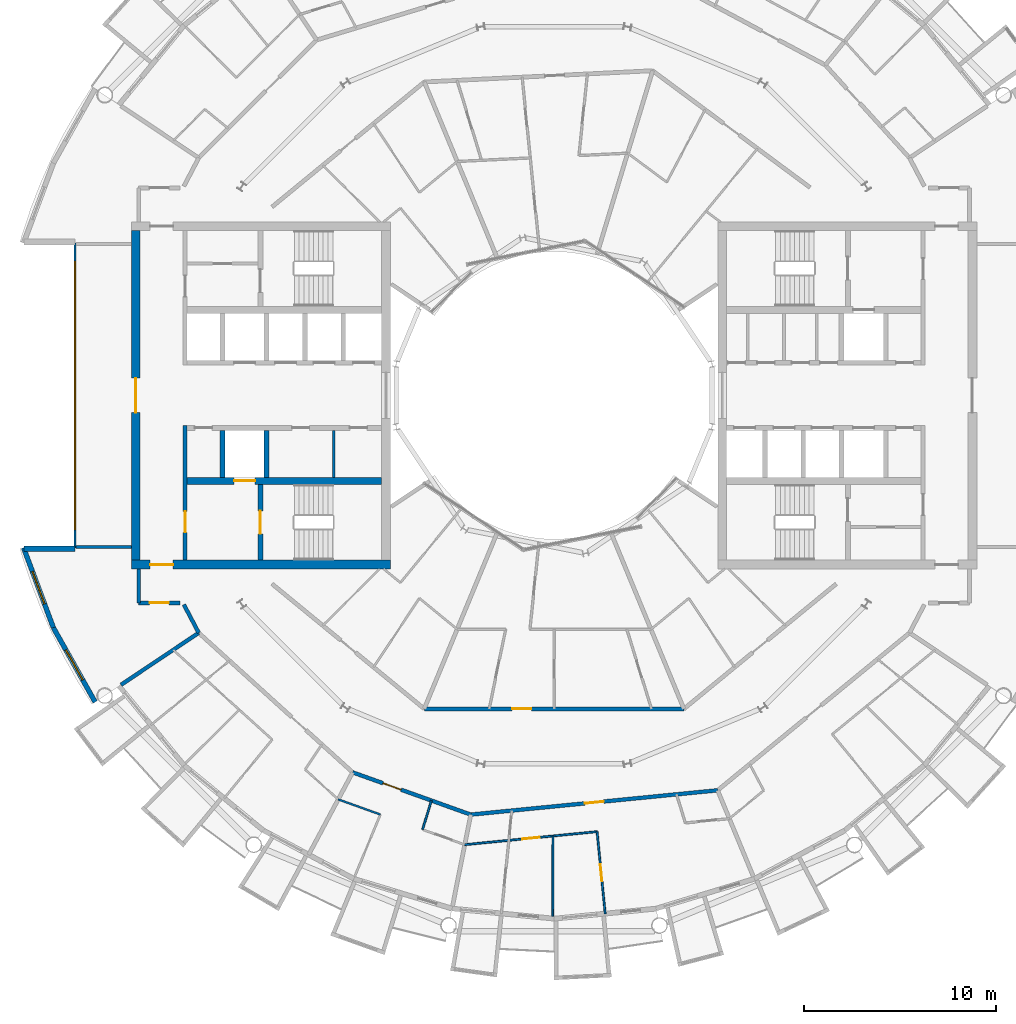
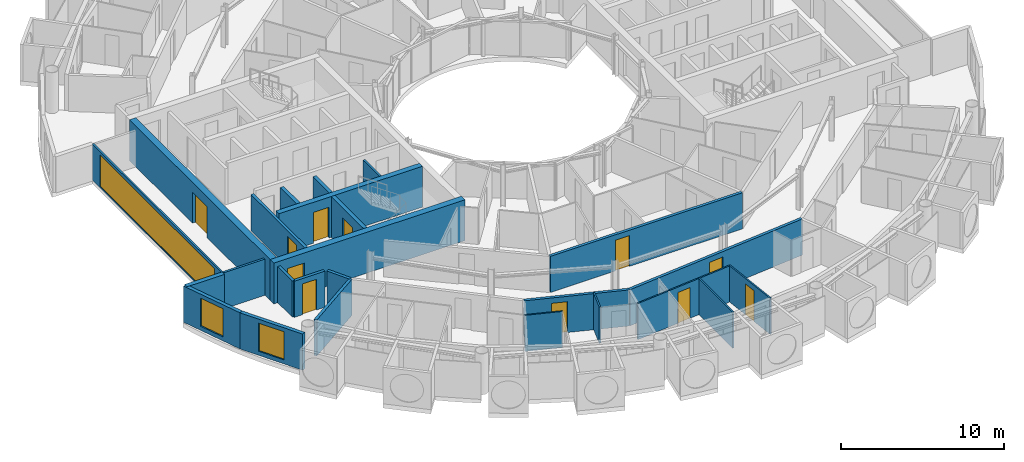
# One storey, part 16 of 29: 25 walls, 11 doors, 3 windows, 14 openings.
"""IFC4 building model written with IfcOpenShell, lengths in metres."""

from ifc_helpers import new_model, si_unit, direction, frame, frame_2d, origin, place, context, subcontext, project, spatial, rectangle, extrude, material, layer, layer_set, type_object, element, fill, save


model = new_model("IFC4")

# Units and contexts
model_context = context("Model", 3, precision=1e-05, world=origin(), true_north=direction((0.0, 1.0)))
body_context = subcontext(model_context, "Body", "Model", "MODEL_VIEW")
ifc_project = project(units=[si_unit("LENGTHUNIT", "METRE"), si_unit("AREAUNIT", "SQUARE_METRE"), si_unit("VOLUMEUNIT", "CUBIC_METRE"), si_unit("PLANEANGLEUNIT", "RADIAN"), si_unit("MASSUNIT", "GRAM", prefix="KILO")], contexts=[model_context])

# Site, building, storey
site_placement = place(None, origin())
site = spatial("IfcSite", under=ifc_project, at=site_placement, CompositionType="ELEMENT")
building_placement = place(site_placement, origin())
building = spatial("IfcBuilding", under=site, at=building_placement, Name="Maasbend Ring Residences", CompositionType="ELEMENT")
storey_placement = place(building_placement, frame((0.0, 0.0, 205.449951171875)))
storey = spatial("IfcBuildingStorey", under=building, at=storey_placement, Name="L59", CompositionType="ELEMENT", Elevation=205.449951171875)

# Wall, opening, door
ifc_material_1 = material(Name="Concrete C50/60", Category="concrete")
ifc_layer_1 = layer(ifc_material_1, 0.25)
ifc_layer_set_1 = layer_set([ifc_layer_1], Name="Concrete C50/60")
wall_type_1 = type_object("IfcWallType", Name="CORE WALL 250 C50/60", PredefinedType="SHEAR", material=ifc_layer_set_1)
wall_1_placement = place(storey_placement, frame((-15.324951171875, -4.64990234375, 0.0), z_axis=(0.0, 0.0, 1.0), x_axis=(0.0, -1.0, 0.0)))
wall_1 = element("IfcWall", 1, at=wall_1_placement, inside=storey, type_object=wall_type_1, Name="L59 core W wall STEN", PredefinedType="SHEAR", context=body_context, shape_type="SweptSolid", body=[
    extrude(rectangle(XDim=3.9501953125, YDim=0.25, at=frame_2d((1.97509765625, 0.0))), origin(), (0.0, 0.0, 1.0), 3.050048828125),
])
opening_1_placement = place(wall_1_placement, frame((1.375, 0.0, 0.0)))
opening_1 = element("IfcOpeningElement", 2, at=opening_1_placement, cuts=wall_1, Name="Opening D-W5910", PredefinedType="OPENING", context=body_context, shape_type="SweptSolid", body=[
    extrude(rectangle(XDim=1.199951171875, YDim=2.300048828125, at=frame_2d((0.60009765625, 1.14990234375))), frame((0.0, 0.135009765625, 0.0), z_axis=(0.0, -1.0, 0.0), x_axis=(1.0, 0.0, 0.0)), (0.0, 0.0, 1.0), 0.27001953125),
])
ifc_material_2 = material(Name="Steel, powder coated", Category="steel")
door_type_1 = type_object("IfcDoorType", Name="STAIR DOOR 1200 X 2300 FD60", OperationType="NOTDEFINED", PredefinedType="DOOR", material=ifc_material_2)
door_1_placement = place(opening_1_placement, origin())
door_1 = element("IfcDoor", 3, at=door_1_placement, inside=storey, type_object=door_type_1, Name="Stair door ST-W L59", OperationType="SINGLE_SWING_LEFT", OverallHeight=2.300048828125, OverallWidth=1.199951171875, PredefinedType="DOOR", context=body_context, shape_type="SweptSolid", body=[
    extrude(rectangle(XDim=1.199951171875, YDim=2.300048828125, at=frame_2d((0.60009765625, 1.14990234375))), frame((0.0, 0.02490234375, 0.0), z_axis=(0.0, -1.0, 0.0), x_axis=(1.0, 0.0, 0.0)), (0.0, 0.0, 1.0), 0.050048828125),
])
fill(opening_1, door_1)

ifc_material_3 = material(Name="Concrete C50/60", Category="concrete")
ifc_layer_2 = layer(ifc_material_3, 0.375)
ifc_layer_set_2 = layer_set([ifc_layer_2], Name="Concrete C50/60")
wall_type_2 = type_object("IfcWallType", Name="CORE WALL 375 C50/60", PredefinedType="SHEAR", material=ifc_layer_set_2)
wall_2_placement = place(storey_placement, frame((-9.0, -4.46240234375, 0.0), z_axis=(0.0, 0.0, 1.0), x_axis=(-1.0, 0.0, 0.0)))
wall_2 = element("IfcWall", 4, at=wall_2_placement, inside=storey, type_object=wall_type_2, Name="L59 core W wall BN", PredefinedType="SHEAR", context=body_context, shape_type="SweptSolid", body=[
    extrude(rectangle(XDim=10.14990234375, YDim=0.375, at=frame_2d((5.074951171875, 0.0))), origin(), (0.0, 0.0, 1.0), 3.050048828125),
])
opening_2_placement = place(wall_2_placement, frame((6.60009765625, 0.0, 0.0)))
opening_2 = element("IfcOpeningElement", 5, at=opening_2_placement, cuts=wall_2, Name="Opening LD-W5901", PredefinedType="OPENING", context=body_context, shape_type="SweptSolid", body=[
    extrude(rectangle(XDim=1.10009765625, YDim=2.300048828125, at=frame_2d((0.550048828125, 1.14990234375))), frame((0.0, 0.197509765625, 0.0), z_axis=(0.0, -1.0, 0.0), x_axis=(1.0, 0.0, 0.0)), (0.0, 0.0, 1.0), 0.39501953125),
])
ifc_material_4 = material(Name="Stainless steel 316", Category="steel")
door_type_2 = type_object("IfcDoorType", Name="LANDING DOOR 1100 X 2300 FD60", OperationType="DOUBLE_DOOR_SLIDING", PredefinedType="DOOR", material=ifc_material_4)
door_2_placement = place(opening_2_placement, origin())
door_2 = element("IfcDoor", 6, at=door_2_placement, inside=storey, type_object=door_type_2, Name="Landing door FF-W L59", OperationType="DOUBLE_DOOR_SLIDING", OverallHeight=2.300048828125, OverallWidth=1.10009765625, PredefinedType="DOOR", context=body_context, shape_type="SweptSolid", body=[
    extrude(rectangle(XDim=1.10009765625, YDim=2.300048828125, at=frame_2d((0.550048828125, 1.14990234375))), frame((0.0, 0.02490234375, 0.0), z_axis=(0.0, -1.0, 0.0), x_axis=(1.0, 0.0, 0.0)), (0.0, 0.0, 1.0), 0.050048828125),
])
fill(opening_2, door_2)

ifc_material_5 = material(Name="Concrete C50/60", Category="concrete")
ifc_layer_3 = layer(ifc_material_5, 0.449951171875)
ifc_layer_set_3 = layer_set([ifc_layer_3], Name="Concrete C50/60")
wall_type_3 = type_object("IfcWallType", Name="CORE WALL 450 C50/60", PredefinedType="SHEAR", material=ifc_layer_set_3)
wall_3_placement = place(storey_placement, frame((-22.050048828125, -8.824951171875, 0.0), z_axis=(0.0, 0.0, 1.0), x_axis=(1.0, 0.0, 0.0)))
wall_3 = element("IfcWall", 7, at=wall_3_placement, inside=storey, type_object=wall_type_3, Name="L59 core W wall PN", PredefinedType="SHEAR", context=body_context, shape_type="SweptSolid", body=[
    extrude(rectangle(XDim=13.5, YDim=0.449951171875, at=frame_2d((6.75, 0.0))), origin(), (0.0, 0.0, 1.0), 3.050048828125),
])
opening_3_placement = place(wall_3_placement, frame((0.97509765625, 0.0, 0.0)))
opening_3 = element("IfcOpeningElement", 8, at=opening_3_placement, cuts=wall_3, Name="Opening D-W5914", PredefinedType="OPENING", context=body_context, shape_type="SweptSolid", body=[
    extrude(rectangle(XDim=1.199951171875, YDim=2.300048828125, at=frame_2d((0.60009765625, 1.14990234375))), frame((0.0, 0.23486328125, 0.0), z_axis=(0.0, -1.0, 0.0), x_axis=(1.0, 0.0, 0.0)), (0.0, 0.0, 1.0), 0.469970703125),
])
ifc_material_6 = material(Name="Steel, powder coated", Category="steel")
door_type_3 = type_object("IfcDoorType", Name="CORRIDOR DOOR 1200 X 2300 FD30S", OperationType="NOTDEFINED", PredefinedType="DOOR", material=ifc_material_6)
door_3_placement = place(opening_3_placement, origin())
door_3 = element("IfcDoor", 9, at=door_3_placement, inside=storey, type_object=door_type_3, Name="Corridor door L59", OperationType="SINGLE_SWING_RIGHT", OverallHeight=2.300048828125, OverallWidth=1.199951171875, PredefinedType="DOOR", context=body_context, shape_type="SweptSolid", body=[
    extrude(rectangle(XDim=1.199951171875, YDim=2.300048828125, at=frame_2d((0.60009765625, 1.14990234375))), frame((0.0, 0.02490234375, 0.0), z_axis=(0.0, -1.0, 0.0), x_axis=(1.0, 0.0, 0.0)), (0.0, 0.0, 1.0), 0.050048828125),
])
fill(opening_3, door_3)

wall_4_placement = place(storey_placement, frame((-21.824951171875, -8.60009765625, 0.0), z_axis=(0.0, 0.0, 1.0), x_axis=(0.0, 1.0, 0.0)))
wall_4 = element("IfcWall", 10, at=wall_4_placement, inside=storey, type_object=wall_type_3, Name="L59 core W wall POUT", PredefinedType="SHEAR", context=body_context, shape_type="SweptSolid", body=[
    extrude(rectangle(XDim=17.2001953125, YDim=0.449951171875, at=frame_2d((8.60009765625, 0.0))), origin(), (0.0, 0.0, 1.0), 3.050048828125),
])
opening_4_placement = place(wall_4_placement, frame((7.699951171875, 0.0, 0.0)))
opening_4 = element("IfcOpeningElement", 11, at=opening_4_placement, cuts=wall_4, Name="Opening D-W5916", PredefinedType="OPENING", context=body_context, shape_type="SweptSolid", body=[
    extrude(rectangle(XDim=1.800048828125, YDim=2.300048828125, at=frame_2d((0.89990234375, 1.14990234375))), frame((0.0, 0.23486328125, 0.0), z_axis=(0.0, -1.0, 0.0), x_axis=(1.0, 0.0, 0.0)), (0.0, 0.0, 1.0), 0.469970703125),
])
ifc_material_7 = material(Name="Aluminium frame, clear glass", Category="aluminium")
door_type_4 = type_object("IfcDoorType", Name="ENTRANCE DOOR 1800 X 2300 FD60", OperationType="NOTDEFINED", PredefinedType="DOOR", material=ifc_material_7)
door_4_placement = place(opening_4_placement, origin())
door_4 = element("IfcDoor", 12, at=door_4_placement, inside=storey, type_object=door_type_4, Name="Lobby glazed door L59", OperationType="SINGLE_SWING_LEFT", OverallHeight=2.300048828125, OverallWidth=1.800048828125, PredefinedType="DOOR", context=body_context, shape_type="SweptSolid", body=[
    extrude(rectangle(XDim=1.800048828125, YDim=2.300048828125, at=frame_2d((0.89990234375, 1.14990234375))), frame((0.0, 0.02490234375, 0.0), z_axis=(0.0, -1.0, 0.0), x_axis=(1.0, 0.0, 0.0)), (0.0, 0.0, 1.0), 0.050048828125),
])
fill(opening_4, door_4)

# Wall
ifc_material_8 = material(Name="Concrete C30/37", Category="concrete")
ifc_layer_4 = layer(ifc_material_8, 0.199951171875)
ifc_layer_set_4 = layer_set([ifc_layer_4], Name="Concrete C30/37")
wall_type_4 = type_object("IfcWallType", Name="CORRIDOR WALL 200 CONCRETE", PredefinedType="PARTITIONING", material=ifc_layer_set_4)
wall_5_placement = place(storey_placement, frame((-19.31689453125, -10.9150390625, 0.0), z_axis=(0.0, 0.0, 1.0), x_axis=(0.465359652486, -0.885121683068, 0.0)))
element("IfcWall", 13, at=wall_5_placement, inside=storey, type_object=wall_type_4, Name="U-L59-w009", PredefinedType="PARTITIONING", context=body_context, shape_type="SweptSolid", body=[
    extrude(rectangle(XDim=1.665283203125, YDim=0.199951171875, at=frame_2d((0.83251953125, 0.0))), origin(), (0.0, 0.0, 1.0), 2.699951171875),
])

# Wall, opening, door
wall_6_placement = place(storey_placement, frame((-10.511962890625, -19.6669921875, 0.0), z_axis=(0.0, 0.0, 1.0), x_axis=(0.941518972512, -0.336959974478, 0.0)))
wall_6 = element("IfcWall", 14, at=wall_6_placement, inside=storey, type_object=wall_type_4, Name="U-L59-w011", PredefinedType="PARTITIONING", context=body_context, shape_type="SweptSolid", body=[
    extrude(rectangle(XDim=6.546875, YDim=0.199951171875, at=frame_2d((3.2734375, 0.0))), origin(), (0.0, 0.0, 1.0), 2.699951171875),
])
opening_5_placement = place(wall_6_placement, frame((1.681884765625, 0.0, 0.0)))
opening_5 = element("IfcOpeningElement", 15, at=opening_5_placement, cuts=wall_6, Name="Opening D-5940", PredefinedType="OPENING", context=body_context, shape_type="SweptSolid", body=[
    extrude(rectangle(XDim=1.0, YDim=2.300048828125, at=frame_2d((0.5, 1.14990234375))), frame((0.0, 0.10986328125, 0.0), z_axis=(0.0, -1.0, 0.0), x_axis=(1.0, 0.0, 0.0)), (0.0, 0.0, 1.0), 0.219970703125),
])
ifc_material_9 = material(Name="Timber, fire-rated, painted", Category="wood")
door_type_5 = type_object("IfcDoorType", Name="FLAT ENTRANCE DOOR 1000 X 2300 FIRE-RATED", OperationType="NOTDEFINED", PredefinedType="DOOR", material=ifc_material_9)
door_5_placement = place(opening_5_placement, origin())
door_5 = element("IfcDoor", 16, at=door_5_placement, inside=storey, type_object=door_type_5, Name="D-5940", OperationType="SINGLE_SWING_LEFT", OverallHeight=2.300048828125, OverallWidth=1.0, PredefinedType="DOOR", context=body_context, shape_type="SweptSolid", body=[
    extrude(rectangle(XDim=1.0, YDim=2.300048828125, at=frame_2d((0.5, 1.14990234375))), frame((0.0, 0.02490234375, 0.0), z_axis=(0.0, -1.0, 0.0), x_axis=(1.0, 0.0, 0.0)), (0.0, 0.0, 1.0), 0.050048828125),
])
fill(opening_5, door_5)

wall_7_placement = place(storey_placement, frame((-4.35498046875, -21.8720703125, 0.0), z_axis=(0.0, 0.0, 1.0), x_axis=(0.995184945277, 0.098014920772, 0.0)))
wall_7 = element("IfcWall", 17, at=wall_7_placement, inside=storey, type_object=wall_type_4, Name="U-L59-w015", PredefinedType="PARTITIONING", context=body_context, shape_type="SweptSolid", body=[
    extrude(rectangle(XDim=12.95751953125, YDim=0.199951171875, at=frame_2d((6.478759765625, 0.0))), origin(), (0.0, 0.0, 1.0), 2.699951171875),
])
opening_6_placement = place(wall_7_placement, frame((5.97802734375, 0.0, 0.0)))
opening_6 = element("IfcOpeningElement", 18, at=opening_6_placement, cuts=wall_7, Name="Opening D-5943", PredefinedType="OPENING", context=body_context, shape_type="SweptSolid", body=[
    extrude(rectangle(XDim=1.0, YDim=2.300048828125, at=frame_2d((0.5, 1.14990234375))), frame((0.0, 0.10986328125, 0.0), z_axis=(0.0, -1.0, 0.0), x_axis=(1.0, 0.0, 0.0)), (0.0, 0.0, 1.0), 0.219970703125),
])
door_6_placement = place(opening_6_placement, origin())
door_6 = element("IfcDoor", 19, at=door_6_placement, inside=storey, type_object=door_type_5, Name="D-5943", OperationType="SINGLE_SWING_LEFT", OverallHeight=2.300048828125, OverallWidth=1.0, PredefinedType="DOOR", context=body_context, shape_type="SweptSolid", body=[
    extrude(rectangle(XDim=1.0, YDim=2.300048828125, at=frame_2d((0.5, 1.14990234375))), frame((0.0, 0.02490234375, 0.0), z_axis=(0.0, -1.0, 0.0), x_axis=(1.0, 0.0, 0.0)), (0.0, 0.0, 1.0), 0.050048828125),
])
fill(opening_6, door_6)

wall_8_placement = place(storey_placement, frame((-6.77294921875, -16.35302734375, 0.0), z_axis=(0.0, 0.0, 1.0), x_axis=(1.0, 0.0, 0.0)))
wall_8 = element("IfcWall", 20, at=wall_8_placement, inside=storey, type_object=wall_type_4, Name="U-L59-w019", PredefinedType="PARTITIONING", context=body_context, shape_type="SweptSolid", body=[
    extrude(rectangle(XDim=13.5458984375, YDim=0.199951171875, at=frame_2d((6.77294921875, 0.0))), origin(), (0.0, 0.0, 1.0), 2.699951171875),
])
opening_7_placement = place(wall_8_placement, frame((4.5791015625, 0.0, 0.0)))
opening_7 = element("IfcOpeningElement", 21, at=opening_7_placement, cuts=wall_8, Name="Opening D-5959", PredefinedType="OPENING", context=body_context, shape_type="SweptSolid", body=[
    extrude(rectangle(XDim=1.0, YDim=2.300048828125, at=frame_2d((0.5, 1.14990234375))), frame((0.0, 0.10986328125, 0.0), z_axis=(0.0, -1.0, 0.0), x_axis=(1.0, 0.0, 0.0)), (0.0, 0.0, 1.0), 0.219970703125),
])
door_7_placement = place(opening_7_placement, origin())
door_7 = element("IfcDoor", 22, at=door_7_placement, inside=storey, type_object=door_type_5, Name="D-5959", OperationType="SINGLE_SWING_LEFT", OverallHeight=2.300048828125, OverallWidth=1.0, PredefinedType="DOOR", context=body_context, shape_type="SweptSolid", body=[
    extrude(rectangle(XDim=1.0, YDim=2.300048828125, at=frame_2d((0.5, 1.14990234375))), frame((0.0, 0.02490234375, 0.0), z_axis=(0.0, -1.0, 0.0), x_axis=(1.0, 0.0, 0.0)), (0.0, 0.0, 1.0), 0.050048828125),
])
fill(opening_7, door_7)

wall_9_placement = place(storey_placement, frame((-21.675048828125, -10.824951171875, 0.0), z_axis=(0.0, 0.0, 1.0), x_axis=(1.0, 0.0, 0.0)))
wall_9 = element("IfcWall", 23, at=wall_9_placement, inside=storey, type_object=wall_type_4, Name="U-L59-w026", PredefinedType="PARTITIONING", context=body_context, shape_type="SweptSolid", body=[
    extrude(rectangle(XDim=2.152099609375, YDim=0.199951171875, at=frame_2d((1.076171875, 0.0))), origin(), (0.0, 0.0, 1.0), 2.699951171875),
])
opening_8_placement = place(wall_9_placement, frame((0.575927734375, 0.0, 0.0)))
opening_8 = element("IfcOpeningElement", 24, at=opening_8_placement, cuts=wall_9, Name="Opening D-5968", PredefinedType="OPENING", context=body_context, shape_type="SweptSolid", body=[
    extrude(rectangle(XDim=1.0, YDim=2.300048828125, at=frame_2d((0.5, 1.14990234375))), frame((0.0, 0.10986328125, 0.0), z_axis=(0.0, -1.0, 0.0), x_axis=(1.0, 0.0, 0.0)), (0.0, 0.0, 1.0), 0.219970703125),
])
ifc_material_10 = material(Name="Timber, painted", Category="wood")
door_type_6 = type_object("IfcDoorType", Name="ROOM DOOR 1000 X 2300", OperationType="NOTDEFINED", PredefinedType="DOOR", material=ifc_material_10)
door_8_placement = place(opening_8_placement, origin())
door_8 = element("IfcDoor", 25, at=door_8_placement, inside=storey, type_object=door_type_6, Name="D-5968", OperationType="SINGLE_SWING_LEFT", OverallHeight=2.300048828125, OverallWidth=1.0, PredefinedType="DOOR", context=body_context, shape_type="SweptSolid", body=[
    extrude(rectangle(XDim=1.0, YDim=2.300048828125, at=frame_2d((0.5, 1.14990234375))), frame((0.0, 0.02490234375, 0.0), z_axis=(0.0, -1.0, 0.0), x_axis=(1.0, 0.0, 0.0)), (0.0, 0.0, 1.0), 0.050048828125),
])
fill(opening_8, door_8)

# Wall
wall_10_placement = place(storey_placement, frame((-21.675048828125, -10.824951171875, 0.0), z_axis=(0.0, 0.0, 1.0), x_axis=(0.0, 1.0, 0.0)))
element("IfcWall", 26, at=wall_10_placement, inside=storey, type_object=wall_type_4, Name="U-L59-w105", PredefinedType="PARTITIONING", context=body_context, shape_type="SweptSolid", body=[
    extrude(rectangle(XDim=1.77490234375, YDim=0.199951171875, at=frame_2d((0.887451171875, 0.0))), origin(), (0.0, 0.0, 1.0), 2.699951171875),
])

# Wall, opening, window
ifc_material_11 = material(Name="Aluminium clad insulated panel", Category="aluminium")
ifc_layer_5 = layer(ifc_material_11, 0.25)
ifc_layer_set_5 = layer_set([ifc_layer_5], Name="EW-HORN")
wall_type_5 = type_object("IfcWallType", Name="EW-HORN", PredefinedType="SOLIDWALL", material=ifc_layer_set_5)
wall_11_placement = place(storey_placement, frame((-27.681884765625, -7.945068359375, 0.0), z_axis=(0.0, 0.0, 1.0), x_axis=(0.349247811493, -0.937030397675, 0.0)))
wall_11 = element("IfcWall", 27, at=wall_11_placement, inside=storey, type_object=wall_type_5, Name="Horn wall 3.1", PredefinedType="SOLIDWALL", context=body_context, shape_type="SweptSolid", body=[
    extrude(rectangle(XDim=4.4521484375, YDim=0.25, at=frame_2d((2.22607421875, 0.0))), origin(), (0.0, 0.0, 1.0), 2.699951171875),
])
opening_9_placement = place(wall_11_placement, frame((1.32666015625, 0.0, 0.300048828125)))
opening_9 = element("IfcOpeningElement", 28, at=opening_9_placement, cuts=wall_11, Name="Opening W-BX", PredefinedType="OPENING", context=body_context, shape_type="SweptSolid", body=[
    extrude(rectangle(XDim=1.800048828125, YDim=2.10009765625, at=frame_2d((0.89990234375, 1.050048828125))), frame((0.0, 0.135009765625, 0.0), z_axis=(0.0, -1.0, 0.0), x_axis=(1.0, 0.0, 0.0)), (0.0, 0.0, 1.0), 0.27001953125),
])
ifc_material_12 = material(Name="Aluminium and clear glass", Category="aluminium")
window_type_1 = type_object("IfcWindowType", Name="W-BX", PartitioningType="DOUBLE_PANEL_VERTICAL", PredefinedType="WINDOW", material=ifc_material_12)
window_1_placement = place(opening_9_placement, origin())
window_1 = element("IfcWindow", 29, at=window_1_placement, inside=storey, type_object=window_type_1, Name="Horn window 3.1", OverallHeight=2.10009765625, OverallWidth=1.800048828125, PartitioningType="SINGLE_PANEL", PredefinedType="WINDOW", context=body_context, shape_type="SweptSolid", body=[
    extrude(rectangle(XDim=1.800048828125, YDim=2.10009765625, at=frame_2d((0.89990234375, 1.050048828125))), frame((0.0, 0.030029296875, 0.0), z_axis=(0.0, -1.0, 0.0), x_axis=(1.0, 0.0, 0.0)), (0.0, 0.0, 1.0), 0.06005859375),
])
fill(opening_9, window_1)

wall_12_placement = place(storey_placement, frame((-26.126953125, -12.116943359375, 0.0), z_axis=(0.0, 0.0, 1.0), x_axis=(0.489696356642, -0.871893042919, 0.0)))
wall_12 = element("IfcWall", 30, at=wall_12_placement, inside=storey, type_object=wall_type_5, Name="Horn wall 3.2", PredefinedType="SOLIDWALL", context=body_context, shape_type="SweptSolid", body=[
    extrude(rectangle(XDim=4.45361328125, YDim=0.25, at=frame_2d((2.226806640625, 0.0))), origin(), (0.0, 0.0, 1.0), 2.699951171875),
])
opening_10_placement = place(wall_12_placement, frame((1.32666015625, 0.0, 0.300048828125)))
opening_10 = element("IfcOpeningElement", 31, at=opening_10_placement, cuts=wall_12, Name="Opening W-BX", PredefinedType="OPENING", context=body_context, shape_type="SweptSolid", body=[
    extrude(rectangle(XDim=1.800048828125, YDim=2.10009765625, at=frame_2d((0.89990234375, 1.050048828125))), frame((0.0, 0.135009765625, 0.0), z_axis=(0.0, -1.0, 0.0), x_axis=(1.0, 0.0, 0.0)), (0.0, 0.0, 1.0), 0.27001953125),
])
window_2_placement = place(opening_10_placement, origin())
window_2 = element("IfcWindow", 32, at=window_2_placement, inside=storey, type_object=window_type_1, Name="Horn window 3.2", OverallHeight=2.10009765625, OverallWidth=1.800048828125, PartitioningType="SINGLE_PANEL", PredefinedType="WINDOW", context=body_context, shape_type="SweptSolid", body=[
    extrude(rectangle(XDim=1.800048828125, YDim=2.10009765625, at=frame_2d((0.89990234375, 1.050048828125))), frame((0.0, 0.030029296875, 0.0), z_axis=(0.0, -1.0, 0.0), x_axis=(1.0, 0.0, 0.0)), (0.0, 0.0, 1.0), 0.06005859375),
])
fill(opening_10, window_2)

# Wall
ifc_material_13 = material(Name="Aluminium clad insulated panel", Category="aluminium")
ifc_layer_6 = layer(ifc_material_13, 0.300048828125)
ifc_layer_set_6 = layer_set([ifc_layer_6], Name="EW-RET")
wall_type_6 = type_object("IfcWallType", Name="EW-RET", PredefinedType="SOLIDWALL", material=ifc_layer_set_6)
wall_13_placement = place(storey_placement, frame((-25.0, -8.0, 0.0), z_axis=(0.0, 0.0, 1.0), x_axis=(-1.0, 0.0, 0.0)))
element("IfcWall", 33, at=wall_13_placement, inside=storey, type_object=wall_type_6, Name="Notch return wall west south", PredefinedType="SOLIDWALL", context=body_context, shape_type="SweptSolid", body=[
    extrude(rectangle(XDim=2.6669921875, YDim=0.300048828125, at=frame_2d((1.33349609375, 0.0))), origin(), (0.0, 0.0, 1.0), 2.699951171875),
])

# Wall, opening, window
ifc_material_14 = material(Name="Aluminium frame and clear glass", Category="aluminium")
ifc_layer_7 = layer(ifc_material_14, 0.1201171875)
ifc_layer_set_7 = layer_set([ifc_layer_7], Name="GLAZED SCREEN WALL 120 EI 60")
wall_type_7 = type_object("IfcWallType", Name="GLAZED SCREEN WALL 120 EI 60", PredefinedType="PARTITIONING", material=ifc_layer_set_7)
wall_14_placement = place(storey_placement, frame((-25.0, 7.949951171875, 0.0), z_axis=(0.0, 0.0, 1.0), x_axis=(0.0, -1.0, 0.0)))
wall_14 = element("IfcWall", 34, at=wall_14_placement, inside=storey, type_object=wall_type_7, Name="L59 core W wall FACE", PredefinedType="PARTITIONING", context=body_context, shape_type="SweptSolid", body=[
    extrude(rectangle(XDim=15.89990234375, YDim=0.1201171875, at=frame_2d((7.949951171875, 0.0))), origin(), (0.0, 0.0, 1.0), 2.699951171875),
])
opening_11_placement = place(wall_14_placement, frame((0.949951171875, 0.0, 0.10009765625)))
opening_11 = element("IfcOpeningElement", 35, at=opening_11_placement, cuts=wall_14, Name="Opening W-W5902", PredefinedType="OPENING", context=body_context, shape_type="SweptSolid", body=[
    extrude(rectangle(XDim=14.0, YDim=2.35009765625, at=frame_2d((7.0, 1.175048828125))), frame((0.0, 0.070068359375, 0.0), z_axis=(0.0, -1.0, 0.0), x_axis=(1.0, 0.0, 0.0)), (0.0, 0.0, 1.0), 0.14013671875),
])
ifc_material_15 = material(Name="Aluminium frame and clear glass", Category="aluminium")
window_type_2 = type_object("IfcWindowType", Name="FIXED WINDOW 14000 X 2350", PartitioningType="SINGLE_PANEL", PredefinedType="WINDOW", material=ifc_material_15)
window_3_placement = place(opening_11_placement, origin())
window_3 = element("IfcWindow", 36, at=window_3_placement, inside=storey, type_object=window_type_2, Name="Lobby window L59", OverallHeight=2.35009765625, OverallWidth=14.0, PartitioningType="SINGLE_PANEL", PredefinedType="WINDOW", context=body_context, shape_type="SweptSolid", body=[
    extrude(rectangle(XDim=14.0, YDim=2.35009765625, at=frame_2d((7.0, 1.175048828125))), frame((0.0, 0.030029296875, 0.0), z_axis=(0.0, -1.0, 0.0), x_axis=(1.0, 0.0, 0.0)), (0.0, 0.0, 1.0), 0.06005859375),
])
fill(opening_11, window_3)

# Wall
ifc_material_16 = material(Name="Gypsum board on steel studs", Category="steel")
ifc_layer_8 = layer(ifc_material_16, 0.10009765625)
ifc_layer_set_8 = layer_set([ifc_layer_8], Name="PARTITION 100 GYPSUM")
wall_type_8 = type_object("IfcWallType", Name="PARTITION 100 GYPSUM", PredefinedType="PARTITIONING", material=ifc_layer_set_8)
wall_15_placement = place(storey_placement, frame((-11.26611328125, -21.077880859375, 0.0), z_axis=(0.0, 0.0, 1.0), x_axis=(0.941477019106, -0.337077175873, 0.0)))
element("IfcWall", 37, at=wall_15_placement, inside=storey, type_object=wall_type_8, Name="U-L59-w001", PredefinedType="PARTITIONING", context=body_context, shape_type="SweptSolid", body=[
    extrude(rectangle(XDim=2.337890625, YDim=0.10009765625, at=frame_2d((1.1689453125, 0.0))), origin(), (0.0, 0.0, 1.0), 2.699951171875),
])

# Wall, opening, door
wall_16_placement = place(storey_placement, frame((-4.6669921875, -23.44091796875, 0.0), z_axis=(0.0, 0.0, 1.0), x_axis=(0.995185674562, 0.098007515761, 0.0)))
wall_16 = element("IfcWall", 38, at=wall_16_placement, inside=storey, type_object=wall_type_8, Name="U-L59-w005", PredefinedType="PARTITIONING", context=body_context, shape_type="SweptSolid", body=[
    extrude(rectangle(XDim=6.947509765625, YDim=0.10009765625, at=frame_2d((3.4736328125, 0.0))), origin(), (0.0, 0.0, 1.0), 2.699951171875),
])
opening_12_placement = place(wall_16_placement, frame((3.02099609375, 0.0, 0.0)))
opening_12 = element("IfcOpeningElement", 39, at=opening_12_placement, cuts=wall_16, Name="Opening D-5947", PredefinedType="OPENING", context=body_context, shape_type="SweptSolid", body=[
    extrude(rectangle(XDim=0.89990234375, YDim=2.300048828125, at=frame_2d((0.449951171875, 1.14990234375))), frame((0.0, 0.06005859375, 0.0), z_axis=(0.0, -1.0, 0.0), x_axis=(1.0, 0.0, 0.0)), (0.0, 0.0, 1.0), 0.1201171875),
])
ifc_material_17 = material(Name="Timber, painted", Category="wood")
door_type_7 = type_object("IfcDoorType", Name="INTERNAL DOOR 900 X 2300", OperationType="NOTDEFINED", PredefinedType="DOOR", material=ifc_material_17)
door_9_placement = place(opening_12_placement, origin())
door_9 = element("IfcDoor", 40, at=door_9_placement, inside=storey, type_object=door_type_7, Name="D-5947", OperationType="SINGLE_SWING_LEFT", OverallHeight=2.300048828125, OverallWidth=0.89990234375, PredefinedType="DOOR", context=body_context, shape_type="SweptSolid", body=[
    extrude(rectangle(XDim=0.89990234375, YDim=2.300048828125, at=frame_2d((0.449951171875, 1.14990234375))), frame((0.0, 0.02490234375, 0.0), z_axis=(0.0, -1.0, 0.0), x_axis=(1.0, 0.0, 0.0)), (0.0, 0.0, 1.0), 0.050048828125),
])
fill(opening_12, door_9)

# Walls
wall_17_placement = place(storey_placement, frame((-6.864013671875, -22.653076171875, 0.0), z_axis=(0.0, 0.0, 1.0), x_axis=(0.290315311421, 0.956931042424, 0.0)))
element("IfcWall", 41, at=wall_17_placement, inside=storey, type_object=wall_type_8, Name="U-L59-w031", PredefinedType="PARTITIONING", context=body_context, shape_type="SweptSolid", body=[
    extrude(rectangle(XDim=1.584228515625, YDim=0.10009765625, at=frame_2d((0.7919921875, 0.0))), origin(), (0.0, 0.0, 1.0), 2.699951171875),
])
wall_18_placement = place(storey_placement, frame((-0.071044921875, -27.175048828125, 0.0), z_axis=(0.0, 0.0, 1.0), x_axis=(0.002623285832, 0.99999655918, 0.0)))
element("IfcWall", 42, at=wall_18_placement, inside=storey, type_object=wall_type_8, Name="U-L59-w062", PredefinedType="PARTITIONING", context=body_context, shape_type="SweptSolid", body=[
    extrude(rectangle(XDim=4.18798828125, YDim=0.10009765625, at=frame_2d((2.093994140625, 0.0))), origin(), (0.0, 0.0, 1.0), 2.699951171875),
])

# Wall, opening, door
wall_19_placement = place(storey_placement, frame((2.241943359375, -22.760986328125, 0.0), z_axis=(0.0, 0.0, 1.0), x_axis=(0.098082610705, -0.995178276229, 0.0)))
wall_19 = element("IfcWall", 43, at=wall_19_placement, inside=storey, type_object=wall_type_8, Name="U-L59-w066", PredefinedType="PARTITIONING", context=body_context, shape_type="SweptSolid", body=[
    extrude(rectangle(XDim=4.3037109375, YDim=0.10009765625, at=frame_2d((2.15185546875, 0.0))), origin(), (0.0, 0.0, 1.0), 2.699951171875),
])
opening_13_placement = place(wall_19_placement, frame((1.701904296875, 0.0, 0.0)))
opening_13 = element("IfcOpeningElement", 44, at=opening_13_placement, cuts=wall_19, Name="Opening D-5946", PredefinedType="OPENING", context=body_context, shape_type="SweptSolid", body=[
    extrude(rectangle(XDim=0.89990234375, YDim=2.300048828125, at=frame_2d((0.449951171875, 1.14990234375))), frame((0.0, 0.06005859375, 0.0), z_axis=(0.0, -1.0, 0.0), x_axis=(1.0, 0.0, 0.0)), (0.0, 0.0, 1.0), 0.1201171875),
])
door_10_placement = place(opening_13_placement, origin())
door_10 = element("IfcDoor", 45, at=door_10_placement, inside=storey, type_object=door_type_7, Name="D-5946", OperationType="SINGLE_SWING_LEFT", OverallHeight=2.300048828125, OverallWidth=0.89990234375, PredefinedType="DOOR", context=body_context, shape_type="SweptSolid", body=[
    extrude(rectangle(XDim=0.89990234375, YDim=2.300048828125, at=frame_2d((0.449951171875, 1.14990234375))), frame((0.0, 0.02490234375, 0.0), z_axis=(0.0, -1.0, 0.0), x_axis=(1.0, 0.0, 0.0)), (0.0, 0.0, 1.0), 0.050048828125),
])
fill(opening_13, door_10)

# Walls
ifc_material_18 = material(Name="Gypsum board on steel studs", Category="steel")
ifc_layer_9 = layer(ifc_material_18, 0.14990234375)
ifc_layer_set_9 = layer_set([ifc_layer_9], Name="PARTITION 150 EI 60")
wall_type_9 = type_object("IfcWallType", Name="PARTITION 150 EI 60", PredefinedType="PARTITIONING", material=ifc_layer_set_9)
wall_20_placement = place(storey_placement, frame((-11.5, -1.824951171875, 0.0), z_axis=(0.0, 0.0, 1.0), x_axis=(0.0, -1.0, 0.0)))
element("IfcWall", 46, at=wall_20_placement, inside=storey, type_object=wall_type_9, Name="L59 core W wall PRN1150", PredefinedType="PARTITIONING", context=body_context, shape_type="SweptSolid", body=[
    extrude(rectangle(XDim=2.449951171875, YDim=0.14990234375, at=frame_2d((1.22509765625, 0.0))), origin(), (0.0, 0.0, 1.0), 2.699951171875),
])
wall_21_placement = place(storey_placement, frame((-22.050048828125, -7.89990234375, 0.0), z_axis=(0.0, 0.0, 1.0), x_axis=(-1.0, 0.0, 0.0)))
element("IfcWall", 47, at=wall_21_placement, inside=storey, type_object=wall_type_9, Name="L59 core W wall CITN", PredefinedType="PARTITIONING", context=body_context, shape_type="SweptSolid", body=[
    extrude(rectangle(XDim=2.889892578125, YDim=0.14990234375, at=frame_2d((1.44482421875, 0.0))), origin(), (0.0, 0.0, 1.0), 2.699951171875),
])
ifc_material_19 = material(Name="Concrete C30/37", Category="concrete")
ifc_layer_10 = layer(ifc_material_19, 0.199951171875)
ifc_layer_set_10 = layer_set([ifc_layer_10], Name="Concrete C30/37")
wall_type_10 = type_object("IfcWallType", Name="PARTY WALL 200 CONCRETE", PredefinedType="PARTITIONING", material=ifc_layer_set_10)
wall_22_placement = place(storey_placement, frame((-22.594970703125, -15.097900390625, 0.0), z_axis=(0.0, 0.0, 1.0), x_axis=(0.831387096605, 0.55569370664, 0.0)))
element("IfcWall", 48, at=wall_22_placement, inside=storey, type_object=wall_type_10, Name="U-L59-w035", PredefinedType="PARTITIONING", context=body_context, shape_type="SweptSolid", body=[
    extrude(rectangle(XDim=4.875, YDim=0.199951171875, at=frame_2d((2.4375, 0.0))), origin(), (0.0, 0.0, 1.0), 2.699951171875),
])

# Wall, opening, door
ifc_material_20 = material(Name="Concrete C30/37", Category="concrete")
ifc_layer_11 = layer(ifc_material_20, 0.199951171875)
ifc_layer_set_11 = layer_set([ifc_layer_11], Name="Concrete C30/37")
wall_type_11 = type_object("IfcWallType", Name="SHAFT WALL 200 EI 120", PredefinedType="SOLIDWALL", material=ifc_layer_set_11)
wall_23_placement = place(storey_placement, frame((-19.25, -1.574951171875, 0.0), z_axis=(0.0, 0.0, 1.0), x_axis=(0.0, -1.0, 0.0)))
wall_23 = element("IfcWall", 49, at=wall_23_placement, inside=storey, type_object=wall_type_11, Name="L59 core W wall ENDN", PredefinedType="SOLIDWALL", context=body_context, shape_type="SweptSolid", body=[
    extrude(rectangle(XDim=7.025146484375, YDim=0.199951171875, at=frame_2d((3.5126953125, 0.0))), origin(), (0.0, 0.0, 1.0), 2.699951171875),
])
opening_14_placement = place(wall_23_placement, frame((4.47509765625, 0.0, 0.0)))
opening_14 = element("IfcOpeningElement", 50, at=opening_14_placement, cuts=wall_23, Name="Opening D-W5912", PredefinedType="OPENING", context=body_context, shape_type="SweptSolid", body=[
    extrude(rectangle(XDim=1.10009765625, YDim=2.300048828125, at=frame_2d((0.550048828125, 1.14990234375))), frame((0.0, 0.10986328125, 0.0), z_axis=(0.0, -1.0, 0.0), x_axis=(1.0, 0.0, 0.0)), (0.0, 0.0, 1.0), 0.219970703125),
])
ifc_material_21 = material(Name="Steel, powder coated", Category="steel")
door_type_8 = type_object("IfcDoorType", Name="LOBBY DOOR 1100 X 2300 FD60", OperationType="NOTDEFINED", PredefinedType="DOOR", material=ifc_material_21)
door_11_placement = place(opening_14_placement, origin())
door_11 = element("IfcDoor", 51, at=door_11_placement, inside=storey, type_object=door_type_8, Name="Lobby door L59", OperationType="SINGLE_SWING_LEFT", OverallHeight=2.300048828125, OverallWidth=1.10009765625, PredefinedType="DOOR", context=body_context, shape_type="SweptSolid", body=[
    extrude(rectangle(XDim=1.10009765625, YDim=2.300048828125, at=frame_2d((0.550048828125, 1.14990234375))), frame((0.0, 0.02490234375, 0.0), z_axis=(0.0, -1.0, 0.0), x_axis=(1.0, 0.0, 0.0)), (0.0, 0.0, 1.0), 0.050048828125),
])
fill(opening_14, door_11)

# Walls
ifc_material_22 = material(Name="Concrete C30/37", Category="concrete")
ifc_layer_12 = layer(ifc_material_22, 0.25)
ifc_layer_set_12 = layer_set([ifc_layer_12], Name="Concrete C30/37")
wall_type_12 = type_object("IfcWallType", Name="SHAFT WALL 250 EI 120", PredefinedType="SOLIDWALL", material=ifc_layer_set_12)
for number, where, z_axis, x_axis, name in (
    (52, (-15.0, -1.824951171875, 0.0), (0.0, 0.0, 1.0), (0.0, -1.0, 0.0), "L59 core W wall D150N"),
    (53, (-17.300048828125, -1.824951171875, 0.0), (0.0, 0.0, 1.0), (0.0, -1.0, 0.0), "L59 core W wall D173N"),
):
    element("IfcWall", number, at=place(storey_placement, frame(where, z_axis=z_axis, x_axis=x_axis)), inside=storey, type_object=wall_type_12, Name=name, PredefinedType="SOLIDWALL", context=body_context, shape_type="SweptSolid", body=[
        extrude(rectangle(XDim=2.449951171875, YDim=0.25, at=frame_2d((1.22509765625, 0.0))), origin(), (0.0, 0.0, 1.0), 2.699951171875),
    ])

save(model, "model.ifc")
